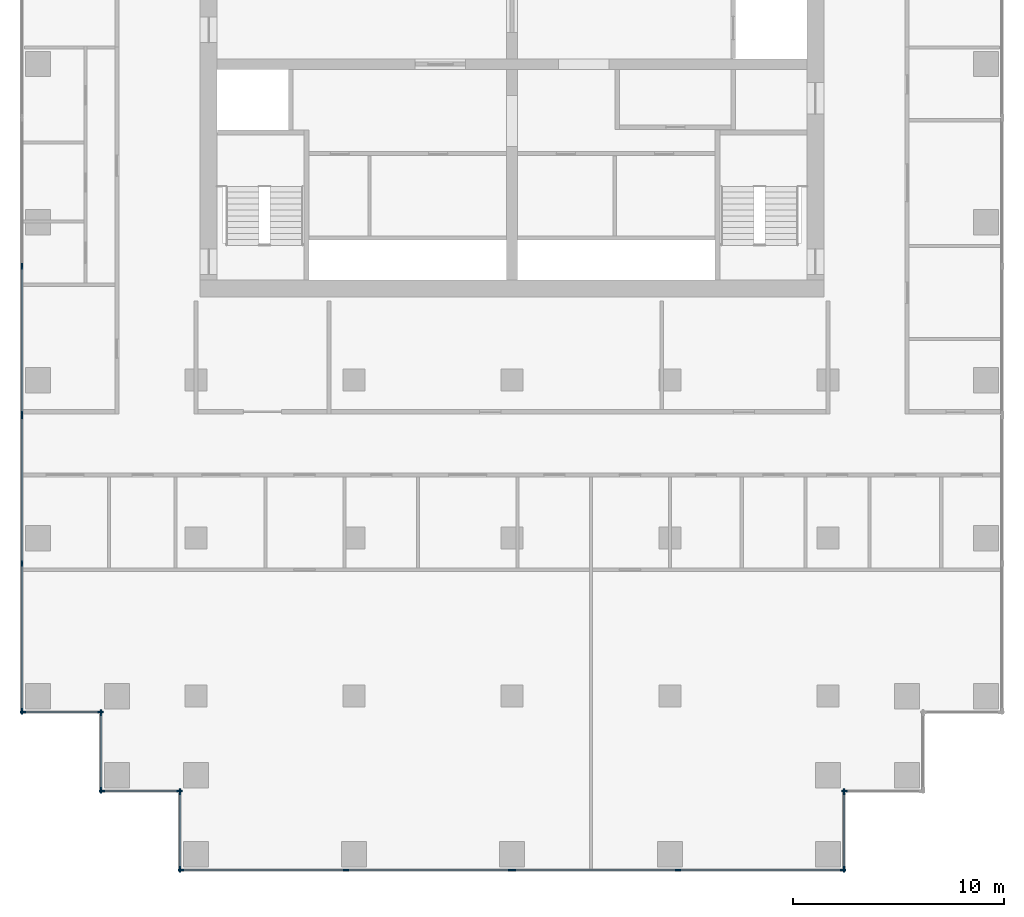
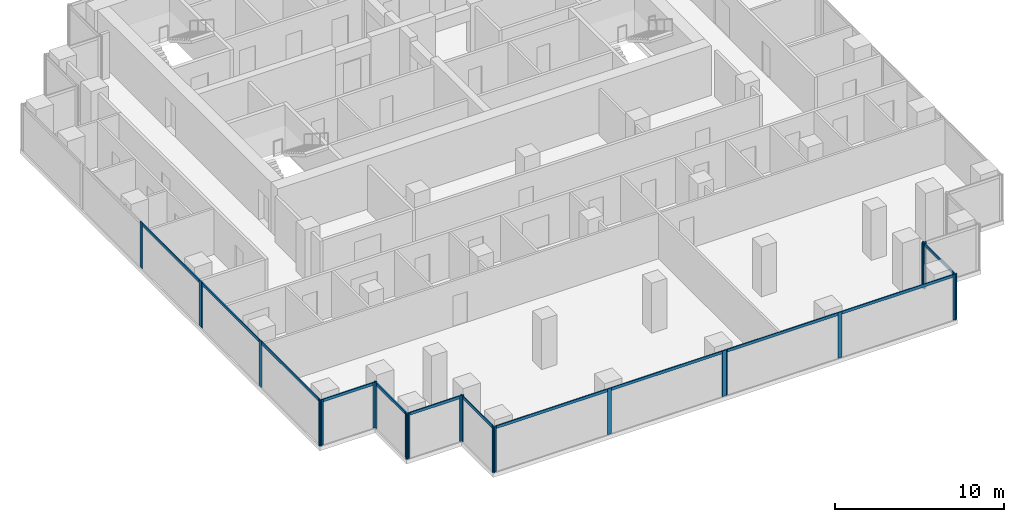
# One storey, part 2 of 10: 34 members, 10 elements without a shape of their own.
"""IFC4 building model written with IfcOpenShell, lengths in metres."""

from ifc_helpers import new_model, si_unit, direction, frame, origin, origin_2d, place, context, subcontext, project, spatial, rectangle, extrude, material, material_profile, profile_set, type_object, element, aggregate, save


model = new_model("IFC4")

# Units and contexts
model_context = context("Model", 3, precision=1e-05, world=origin(), true_north=direction((0.0, 1.0)))
body_context = subcontext(model_context, "Body", "Model", "MODEL_VIEW")
ifc_project = project(units=[si_unit("LENGTHUNIT", "METRE"), si_unit("AREAUNIT", "SQUARE_METRE"), si_unit("VOLUMEUNIT", "CUBIC_METRE"), si_unit("PLANEANGLEUNIT", "RADIAN"), si_unit("MASSUNIT", "GRAM", prefix="KILO")], contexts=[model_context])

# Site, building, storey
site_placement = place(None, origin())
site = spatial("IfcSite", under=ifc_project, at=site_placement, CompositionType="ELEMENT")
building_placement = place(site_placement, origin())
building = spatial("IfcBuilding", under=site, at=building_placement, Name="Pilkhan Gate Tower", CompositionType="ELEMENT")
storey_placement = place(building_placement, frame((0.0, 0.0, 169.300048828125)))
storey = spatial("IfcBuildingStorey", under=building, at=storey_placement, Name="L43", CompositionType="ELEMENT", Elevation=169.300048828125)

# Curtain wall, members
ifc_material_1 = material(Name="Pale anodised aluminium, clear low-iron double glazing", Category="aluminium")
curtain_wall_type = type_object("IfcCurtainWallType", Name="Office unitised curtain wall CW-O1", PredefinedType="USERDEFINED", material=ifc_material_1)
curtain_wall_1_placement = place(storey_placement, origin())
curtain_wall_1 = element("IfcCurtainWall", 1, at=curtain_wall_1_placement, inside=storey, type_object=curtain_wall_type, Name="Office unitised curtain wall CW-O1 L43 W", ObjectType="UNITISED CURTAIN WALL", PredefinedType="USERDEFINED")
ifc_material_2 = material(Name="Pale anodised aluminium", Category="aluminium")
ifc_material_profile_1 = material_profile(ifc_material_2, rectangle(XDim=0.070068359375, YDim=0.27490234375, at=origin_2d()), Name="Mullion 275x70")
ifc_profile_set_1 = profile_set([ifc_material_profile_1], Name="Pale anodised aluminium")
member_type_1 = type_object("IfcMemberType", Name="Mullion CW-O1 275x70", PredefinedType="MULLION", material=ifc_profile_set_1)
member_1_placement = place(storey_placement, frame((51.75, 51.784912109375, 0.0), z_axis=(0.0, 0.0, 1.0), x_axis=(-1.0, 0.0, 0.0)))
member_1 = element("IfcMember", 2, at=member_1_placement, type_object=member_type_1, Name="CW-O1 mullion 1", PredefinedType="MULLION", context=body_context, shape_type="SweptSolid", body=[
    extrude(rectangle(XDim=0.070068359375, YDim=0.27490234375, at=origin_2d()), origin(), (0.0, 0.0, 1.0), 3.300048828125),
])
member_2_placement = place(storey_placement, frame((51.75, 58.800048828125, 0.0), z_axis=(0.0, 0.0, 1.0), x_axis=(-1.0, 0.0, 0.0)))
member_2 = element("IfcMember", 3, at=member_2_placement, type_object=member_type_1, Name="CW-O1 mullion 2", PredefinedType="MULLION", context=body_context, shape_type="SweptSolid", body=[
    extrude(rectangle(XDim=0.070068359375, YDim=0.27490234375, at=origin_2d()), origin(), (0.0, 0.0, 1.0), 3.300048828125),
])
member_3_placement = place(storey_placement, frame((51.75, 65.81494140625, 0.0), z_axis=(0.0, 0.0, 1.0), x_axis=(-1.0, 0.0, 0.0)))
member_3 = element("IfcMember", 4, at=member_3_placement, type_object=member_type_1, Name="CW-O1 mullion 3", PredefinedType="MULLION", context=body_context, shape_type="SweptSolid", body=[
    extrude(rectangle(XDim=0.070068359375, YDim=0.27490234375, at=origin_2d()), origin(), (0.0, 0.0, 1.0), 3.300048828125),
])

curtain_wall_2_placement = place(storey_placement, origin())
curtain_wall_2 = element("IfcCurtainWall", 5, at=curtain_wall_2_placement, inside=storey, type_object=curtain_wall_type, Name="Office unitised curtain wall CW-O1 L43 W", ObjectType="UNITISED CURTAIN WALL", PredefinedType="USERDEFINED")
member_4_placement = place(storey_placement, frame((51.75, 65.885009765625, 0.0), z_axis=(0.0, 0.0, 1.0), x_axis=(-1.0, 0.0, 0.0)))
member_4 = element("IfcMember", 6, at=member_4_placement, type_object=member_type_1, Name="CW-O1 mullion 1", PredefinedType="MULLION", context=body_context, shape_type="SweptSolid", body=[
    extrude(rectangle(XDim=0.070068359375, YDim=0.27490234375, at=origin_2d()), origin(), (0.0, 0.0, 1.0), 3.300048828125),
])
member_5_placement = place(storey_placement, frame((51.75, 72.89990234375, 0.0), z_axis=(0.0, 0.0, 1.0), x_axis=(-1.0, 0.0, 0.0)))
member_5 = element("IfcMember", 7, at=member_5_placement, type_object=member_type_1, Name="CW-O1 mullion 2", PredefinedType="MULLION", context=body_context, shape_type="SweptSolid", body=[
    extrude(rectangle(XDim=0.070068359375, YDim=0.27490234375, at=origin_2d()), origin(), (0.0, 0.0, 1.0), 3.300048828125),
])

curtain_wall_3_placement = place(storey_placement, origin())
curtain_wall_3 = element("IfcCurtainWall", 8, at=curtain_wall_3_placement, inside=storey, type_object=curtain_wall_type, Name="Office unitised curtain wall CW-O1 L43 S", ObjectType="UNITISED CURTAIN WALL", PredefinedType="USERDEFINED")
member_6_placement = place(storey_placement, frame((51.784912109375, 51.75, 0.0), z_axis=(0.0, 0.0, 1.0), x_axis=(0.0, 1.0, 0.0)))
member_6 = element("IfcMember", 9, at=member_6_placement, type_object=member_type_1, Name="CW-O1 mullion 1", PredefinedType="MULLION", context=body_context, shape_type="SweptSolid", body=[
    extrude(rectangle(XDim=0.070068359375, YDim=0.27490234375, at=origin_2d()), origin(), (0.0, 0.0, 1.0), 3.300048828125),
])
member_7_placement = place(storey_placement, frame((55.465087890625, 51.75, 0.0), z_axis=(0.0, 0.0, 1.0), x_axis=(0.0, 1.0, 0.0)))
member_7 = element("IfcMember", 10, at=member_7_placement, type_object=member_type_1, Name="CW-O1 mullion 2", PredefinedType="MULLION", context=body_context, shape_type="SweptSolid", body=[
    extrude(rectangle(XDim=0.070068359375, YDim=0.27490234375, at=origin_2d()), origin(), (0.0, 0.0, 1.0), 3.300048828125),
])

curtain_wall_4_placement = place(storey_placement, origin())
curtain_wall_4 = element("IfcCurtainWall", 11, at=curtain_wall_4_placement, inside=storey, type_object=curtain_wall_type, Name="Office unitised curtain wall CW-O1 L43 W", ObjectType="UNITISED CURTAIN WALL", PredefinedType="USERDEFINED")
member_8_placement = place(storey_placement, frame((55.5, 48.034912109375, 0.0), z_axis=(0.0, 0.0, 1.0), x_axis=(-1.0, 0.0, 0.0)))
member_8 = element("IfcMember", 12, at=member_8_placement, type_object=member_type_1, Name="CW-O1 mullion 1", PredefinedType="MULLION", context=body_context, shape_type="SweptSolid", body=[
    extrude(rectangle(XDim=0.070068359375, YDim=0.27490234375, at=origin_2d()), origin(), (0.0, 0.0, 1.0), 3.300048828125),
])
member_9_placement = place(storey_placement, frame((55.5, 51.715087890625, 0.0), z_axis=(0.0, 0.0, 1.0), x_axis=(-1.0, 0.0, 0.0)))
member_9 = element("IfcMember", 13, at=member_9_placement, type_object=member_type_1, Name="CW-O1 mullion 2", PredefinedType="MULLION", context=body_context, shape_type="SweptSolid", body=[
    extrude(rectangle(XDim=0.070068359375, YDim=0.27490234375, at=origin_2d()), origin(), (0.0, 0.0, 1.0), 3.300048828125),
])

curtain_wall_5_placement = place(storey_placement, origin())
curtain_wall_5 = element("IfcCurtainWall", 14, at=curtain_wall_5_placement, inside=storey, type_object=curtain_wall_type, Name="Office unitised curtain wall CW-O1 L43 S", ObjectType="UNITISED CURTAIN WALL", PredefinedType="USERDEFINED")
member_10_placement = place(storey_placement, frame((55.534912109375, 48.0, 0.0), z_axis=(0.0, 0.0, 1.0), x_axis=(0.0, 1.0, 0.0)))
member_10 = element("IfcMember", 15, at=member_10_placement, type_object=member_type_1, Name="CW-O1 mullion 1", PredefinedType="MULLION", context=body_context, shape_type="SweptSolid", body=[
    extrude(rectangle(XDim=0.070068359375, YDim=0.27490234375, at=origin_2d()), origin(), (0.0, 0.0, 1.0), 3.300048828125),
])
member_11_placement = place(storey_placement, frame((59.215087890625, 48.0, 0.0), z_axis=(0.0, 0.0, 1.0), x_axis=(0.0, 1.0, 0.0)))
member_11 = element("IfcMember", 16, at=member_11_placement, type_object=member_type_1, Name="CW-O1 mullion 2", PredefinedType="MULLION", context=body_context, shape_type="SweptSolid", body=[
    extrude(rectangle(XDim=0.070068359375, YDim=0.27490234375, at=origin_2d()), origin(), (0.0, 0.0, 1.0), 3.300048828125),
])

curtain_wall_6_placement = place(storey_placement, origin())
curtain_wall_6 = element("IfcCurtainWall", 17, at=curtain_wall_6_placement, inside=storey, type_object=curtain_wall_type, Name="Office unitised curtain wall CW-O1 L43 W", ObjectType="UNITISED CURTAIN WALL", PredefinedType="USERDEFINED")
member_12_placement = place(storey_placement, frame((59.25, 44.284912109375, 0.0), z_axis=(0.0, 0.0, 1.0), x_axis=(-1.0, 0.0, 0.0)))
member_12 = element("IfcMember", 18, at=member_12_placement, type_object=member_type_1, Name="CW-O1 mullion 1", PredefinedType="MULLION", context=body_context, shape_type="SweptSolid", body=[
    extrude(rectangle(XDim=0.070068359375, YDim=0.27490234375, at=origin_2d()), origin(), (0.0, 0.0, 1.0), 3.300048828125),
])
member_13_placement = place(storey_placement, frame((59.25, 47.965087890625, 0.0), z_axis=(0.0, 0.0, 1.0), x_axis=(-1.0, 0.0, 0.0)))
member_13 = element("IfcMember", 19, at=member_13_placement, type_object=member_type_1, Name="CW-O1 mullion 2", PredefinedType="MULLION", context=body_context, shape_type="SweptSolid", body=[
    extrude(rectangle(XDim=0.070068359375, YDim=0.27490234375, at=origin_2d()), origin(), (0.0, 0.0, 1.0), 3.300048828125),
])

curtain_wall_7_placement = place(storey_placement, origin())
curtain_wall_7 = element("IfcCurtainWall", 20, at=curtain_wall_7_placement, inside=storey, type_object=curtain_wall_type, Name="Office unitised curtain wall CW-O1 L43 S", ObjectType="UNITISED CURTAIN WALL", PredefinedType="USERDEFINED")
member_14_placement = place(storey_placement, frame((59.284912109375, 44.25, 0.0), z_axis=(0.0, 0.0, 1.0), x_axis=(0.0, 1.0, 0.0)))
member_14 = element("IfcMember", 21, at=member_14_placement, type_object=member_type_1, Name="CW-O1 mullion 1", PredefinedType="MULLION", context=body_context, shape_type="SweptSolid", body=[
    extrude(rectangle(XDim=0.070068359375, YDim=0.27490234375, at=origin_2d()), origin(), (0.0, 0.0, 1.0), 3.300048828125),
])
member_15_placement = place(storey_placement, frame((67.125, 44.25, 0.0), z_axis=(0.0, 0.0, 1.0), x_axis=(0.0, 1.0, 0.0)))
member_15 = element("IfcMember", 22, at=member_15_placement, type_object=member_type_1, Name="CW-O1 mullion 2", PredefinedType="MULLION", context=body_context, shape_type="SweptSolid", body=[
    extrude(rectangle(XDim=0.070068359375, YDim=0.27490234375, at=origin_2d()), origin(), (0.0, 0.0, 1.0), 3.300048828125),
])
member_16_placement = place(storey_placement, frame((74.965087890625, 44.25, 0.0), z_axis=(0.0, 0.0, 1.0), x_axis=(0.0, 1.0, 0.0)))
member_16 = element("IfcMember", 23, at=member_16_placement, type_object=member_type_1, Name="CW-O1 mullion 3", PredefinedType="MULLION", context=body_context, shape_type="SweptSolid", body=[
    extrude(rectangle(XDim=0.070068359375, YDim=0.27490234375, at=origin_2d()), origin(), (0.0, 0.0, 1.0), 3.300048828125),
])

curtain_wall_8_placement = place(storey_placement, origin())
curtain_wall_8 = element("IfcCurtainWall", 24, at=curtain_wall_8_placement, inside=storey, type_object=curtain_wall_type, Name="Office unitised curtain wall CW-O1 L43 S", ObjectType="UNITISED CURTAIN WALL", PredefinedType="USERDEFINED")
member_17_placement = place(storey_placement, frame((75.034912109375, 44.25, 0.0), z_axis=(0.0, 0.0, 1.0), x_axis=(0.0, 1.0, 0.0)))
member_17 = element("IfcMember", 25, at=member_17_placement, type_object=member_type_1, Name="CW-O1 mullion 1", PredefinedType="MULLION", context=body_context, shape_type="SweptSolid", body=[
    extrude(rectangle(XDim=0.070068359375, YDim=0.27490234375, at=origin_2d()), origin(), (0.0, 0.0, 1.0), 3.300048828125),
])
member_18_placement = place(storey_placement, frame((82.875, 44.25, 0.0), z_axis=(0.0, 0.0, 1.0), x_axis=(0.0, 1.0, 0.0)))
member_18 = element("IfcMember", 26, at=member_18_placement, type_object=member_type_1, Name="CW-O1 mullion 2", PredefinedType="MULLION", context=body_context, shape_type="SweptSolid", body=[
    extrude(rectangle(XDim=0.070068359375, YDim=0.27490234375, at=origin_2d()), origin(), (0.0, 0.0, 1.0), 3.300048828125),
])
member_19_placement = place(storey_placement, frame((90.715087890625, 44.25, 0.0), z_axis=(0.0, 0.0, 1.0), x_axis=(0.0, 1.0, 0.0)))
member_19 = element("IfcMember", 27, at=member_19_placement, type_object=member_type_1, Name="CW-O1 mullion 3", PredefinedType="MULLION", context=body_context, shape_type="SweptSolid", body=[
    extrude(rectangle(XDim=0.070068359375, YDim=0.27490234375, at=origin_2d()), origin(), (0.0, 0.0, 1.0), 3.300048828125),
])

curtain_wall_9_placement = place(storey_placement, origin())
curtain_wall_9 = element("IfcCurtainWall", 28, at=curtain_wall_9_placement, inside=storey, type_object=curtain_wall_type, Name="Office unitised curtain wall CW-O1 L43 E", ObjectType="UNITISED CURTAIN WALL", PredefinedType="USERDEFINED")
member_20_placement = place(storey_placement, frame((90.75, 44.284912109375, 0.0), z_axis=(0.0, 0.0, 1.0), x_axis=(-1.0, 0.0, 0.0)))
member_20 = element("IfcMember", 29, at=member_20_placement, type_object=member_type_1, Name="CW-O1 mullion 1", PredefinedType="MULLION", context=body_context, shape_type="SweptSolid", body=[
    extrude(rectangle(XDim=0.070068359375, YDim=0.27490234375, at=origin_2d()), origin(), (0.0, 0.0, 1.0), 3.300048828125),
])
member_21_placement = place(storey_placement, frame((90.75, 47.965087890625, 0.0), z_axis=(0.0, 0.0, 1.0), x_axis=(-1.0, 0.0, 0.0)))
member_21 = element("IfcMember", 30, at=member_21_placement, type_object=member_type_1, Name="CW-O1 mullion 2", PredefinedType="MULLION", context=body_context, shape_type="SweptSolid", body=[
    extrude(rectangle(XDim=0.070068359375, YDim=0.27490234375, at=origin_2d()), origin(), (0.0, 0.0, 1.0), 3.300048828125),
])

# Curtain wall, member
curtain_wall_10_placement = place(storey_placement, origin())
curtain_wall_10 = element("IfcCurtainWall", 31, at=curtain_wall_10_placement, inside=storey, type_object=curtain_wall_type, Name="Office unitised curtain wall CW-O1 L43 S", ObjectType="UNITISED CURTAIN WALL", PredefinedType="USERDEFINED")
member_22_placement = place(storey_placement, frame((90.784912109375, 48.0, 0.0), z_axis=(0.0, 0.0, 1.0), x_axis=(0.0, 1.0, 0.0)))
member_22 = element("IfcMember", 32, at=member_22_placement, type_object=member_type_1, Name="CW-O1 mullion 1", PredefinedType="MULLION", context=body_context, shape_type="SweptSolid", body=[
    extrude(rectangle(XDim=0.070068359375, YDim=0.27490234375, at=origin_2d()), origin(), (0.0, 0.0, 1.0), 3.300048828125),
])
aggregate(curtain_wall_10, [member_22])

# Member
ifc_material_profile_2 = material_profile(ifc_material_2, rectangle(XDim=0.070068359375, YDim=0.199951171875, at=origin_2d()), Name="Transom 200x70")
ifc_profile_set_2 = profile_set([ifc_material_profile_2], Name="Pale anodised aluminium")
member_type_2 = type_object("IfcMemberType", Name="Transom CW-O1 200x70", PredefinedType="USERDEFINED", material=ifc_profile_set_2)
member_23_placement = place(storey_placement, frame((51.75, 51.820068359375, 3.199951171875), z_axis=(0.0, 1.0, 0.0), x_axis=(-1.0, 0.0, 0.0)))
member_23 = element("IfcMember", 33, at=member_23_placement, type_object=member_type_2, Name="CW-O1 transom 1", ObjectType="TRANSOM", PredefinedType="USERDEFINED", context=body_context, shape_type="SweptSolid", body=[
    extrude(rectangle(XDim=0.070068359375, YDim=0.199951171875, at=origin_2d()), origin(), (0.0, 0.0, 1.0), 6.94482421875),
])

member_24_placement = place(storey_placement, frame((51.75, 58.8349609375, 3.199951171875), z_axis=(0.0, 1.0, 0.0), x_axis=(-1.0, 0.0, 0.0)))
member_24 = element("IfcMember", 34, at=member_24_placement, type_object=member_type_2, Name="CW-O1 transom 2", ObjectType="TRANSOM", PredefinedType="USERDEFINED", context=body_context, shape_type="SweptSolid", body=[
    extrude(rectangle(XDim=0.070068359375, YDim=0.199951171875, at=origin_2d()), origin(), (0.0, 0.0, 1.0), 6.945068359375),
])

aggregate(curtain_wall_1, [member_1, member_2, member_3, member_23, member_24])

member_25_placement = place(storey_placement, frame((51.75, 65.919921875, 3.199951171875), z_axis=(0.0, 1.0, 0.0), x_axis=(-1.0, 0.0, 0.0)))
member_25 = element("IfcMember", 35, at=member_25_placement, type_object=member_type_2, Name="CW-O1 transom 1", ObjectType="TRANSOM", PredefinedType="USERDEFINED", context=body_context, shape_type="SweptSolid", body=[
    extrude(rectangle(XDim=0.070068359375, YDim=0.199951171875, at=origin_2d()), origin(), (0.0, 0.0, 1.0), 6.945068359375),
])

aggregate(curtain_wall_2, [member_4, member_5, member_25])

member_26_placement = place(storey_placement, frame((51.820068359375, 51.75, 3.199951171875), z_axis=(1.0, 0.0, 0.0), x_axis=(0.0, 1.0, 0.0)))
member_26 = element("IfcMember", 36, at=member_26_placement, type_object=member_type_2, Name="CW-O1 transom 1", ObjectType="TRANSOM", PredefinedType="USERDEFINED", context=body_context, shape_type="SweptSolid", body=[
    extrude(rectangle(XDim=0.070068359375, YDim=0.199951171875, at=origin_2d()), origin(), (0.0, 0.0, 1.0), 3.60986328125),
])

aggregate(curtain_wall_3, [member_6, member_7, member_26])

member_27_placement = place(storey_placement, frame((55.5, 48.070068359375, 3.199951171875), z_axis=(0.0, 1.0, 0.0), x_axis=(-1.0, 0.0, 0.0)))
member_27 = element("IfcMember", 37, at=member_27_placement, type_object=member_type_2, Name="CW-O1 transom 1", ObjectType="TRANSOM", PredefinedType="USERDEFINED", context=body_context, shape_type="SweptSolid", body=[
    extrude(rectangle(XDim=0.070068359375, YDim=0.199951171875, at=origin_2d()), origin(), (0.0, 0.0, 1.0), 3.60986328125),
])

aggregate(curtain_wall_4, [member_8, member_9, member_27])

member_28_placement = place(storey_placement, frame((55.570068359375, 48.0, 3.199951171875), z_axis=(1.0, 0.0, 0.0), x_axis=(0.0, 1.0, 0.0)))
member_28 = element("IfcMember", 38, at=member_28_placement, type_object=member_type_2, Name="CW-O1 transom 1", ObjectType="TRANSOM", PredefinedType="USERDEFINED", context=body_context, shape_type="SweptSolid", body=[
    extrude(rectangle(XDim=0.070068359375, YDim=0.199951171875, at=origin_2d()), origin(), (0.0, 0.0, 1.0), 3.60986328125),
])

aggregate(curtain_wall_5, [member_10, member_11, member_28])

member_29_placement = place(storey_placement, frame((59.25, 44.320068359375, 3.199951171875), z_axis=(0.0, 1.0, 0.0), x_axis=(-1.0, 0.0, 0.0)))
member_29 = element("IfcMember", 39, at=member_29_placement, type_object=member_type_2, Name="CW-O1 transom 1", ObjectType="TRANSOM", PredefinedType="USERDEFINED", context=body_context, shape_type="SweptSolid", body=[
    extrude(rectangle(XDim=0.070068359375, YDim=0.199951171875, at=origin_2d()), origin(), (0.0, 0.0, 1.0), 3.60986328125),
])

aggregate(curtain_wall_6, [member_12, member_13, member_29])

member_30_placement = place(storey_placement, frame((59.320068359375, 44.25, 3.199951171875), z_axis=(1.0, 0.0, 0.0), x_axis=(0.0, 1.0, 0.0)))
member_30 = element("IfcMember", 40, at=member_30_placement, type_object=member_type_2, Name="CW-O1 transom 1", ObjectType="TRANSOM", PredefinedType="USERDEFINED", context=body_context, shape_type="SweptSolid", body=[
    extrude(rectangle(XDim=0.070068359375, YDim=0.199951171875, at=origin_2d()), origin(), (0.0, 0.0, 1.0), 7.77001953125),
])

member_31_placement = place(storey_placement, frame((67.159912109375, 44.25, 3.199951171875), z_axis=(1.0, 0.0, 0.0), x_axis=(0.0, 1.0, 0.0)))
member_31 = element("IfcMember", 41, at=member_31_placement, type_object=member_type_2, Name="CW-O1 transom 2", ObjectType="TRANSOM", PredefinedType="USERDEFINED", context=body_context, shape_type="SweptSolid", body=[
    extrude(rectangle(XDim=0.070068359375, YDim=0.199951171875, at=origin_2d()), origin(), (0.0, 0.0, 1.0), 7.77001953125),
])

aggregate(curtain_wall_7, [member_14, member_15, member_16, member_30, member_31])

member_32_placement = place(storey_placement, frame((75.070068359375, 44.25, 3.199951171875), z_axis=(1.0, 0.0, 0.0), x_axis=(0.0, 1.0, 0.0)))
member_32 = element("IfcMember", 42, at=member_32_placement, type_object=member_type_2, Name="CW-O1 transom 1", ObjectType="TRANSOM", PredefinedType="USERDEFINED", context=body_context, shape_type="SweptSolid", body=[
    extrude(rectangle(XDim=0.070068359375, YDim=0.199951171875, at=origin_2d()), origin(), (0.0, 0.0, 1.0), 7.77001953125),
])

member_33_placement = place(storey_placement, frame((82.909912109375, 44.25, 3.199951171875), z_axis=(1.0, 0.0, 0.0), x_axis=(0.0, 1.0, 0.0)))
member_33 = element("IfcMember", 43, at=member_33_placement, type_object=member_type_2, Name="CW-O1 transom 2", ObjectType="TRANSOM", PredefinedType="USERDEFINED", context=body_context, shape_type="SweptSolid", body=[
    extrude(rectangle(XDim=0.070068359375, YDim=0.199951171875, at=origin_2d()), origin(), (0.0, 0.0, 1.0), 7.77001953125),
])

aggregate(curtain_wall_8, [member_17, member_18, member_19, member_32, member_33])

member_34_placement = place(storey_placement, frame((90.75, 44.320068359375, 3.199951171875), z_axis=(0.0, 1.0, 0.0), x_axis=(-1.0, 0.0, 0.0)))
member_34 = element("IfcMember", 44, at=member_34_placement, type_object=member_type_2, Name="CW-O1 transom 1", ObjectType="TRANSOM", PredefinedType="USERDEFINED", context=body_context, shape_type="SweptSolid", body=[
    extrude(rectangle(XDim=0.070068359375, YDim=0.199951171875, at=origin_2d()), origin(), (0.0, 0.0, 1.0), 3.60986328125),
])

aggregate(curtain_wall_9, [member_20, member_21, member_34])

save(model, "model.ifc")
